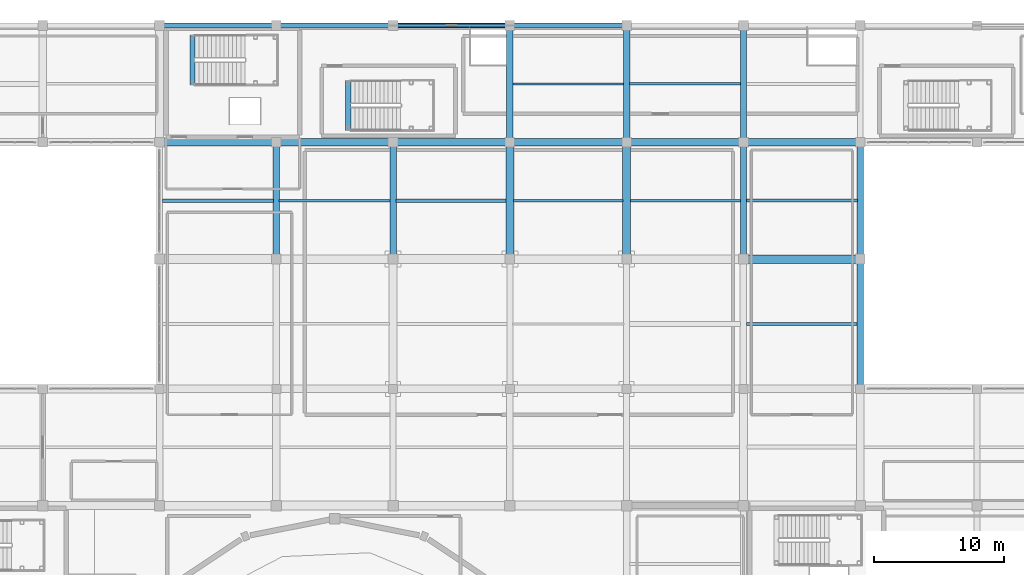
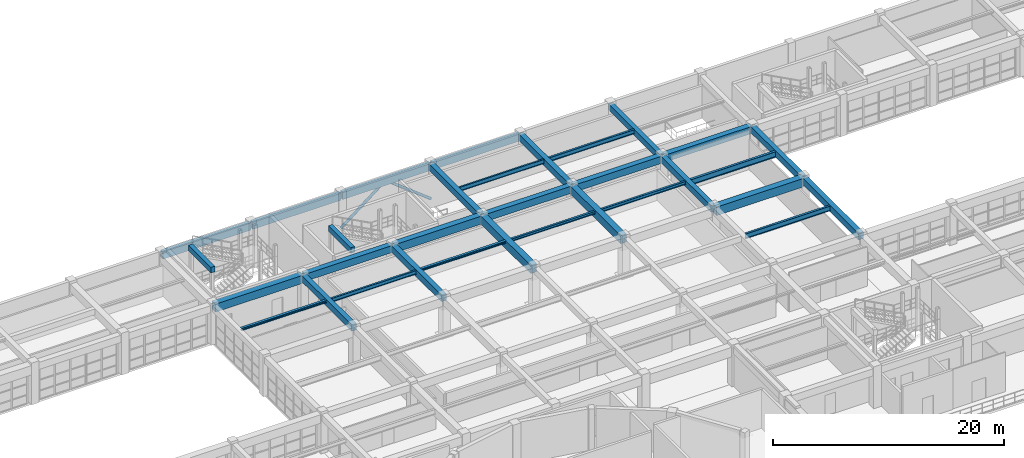
# One storey, part 74 of 133: 32 beams, 2 members.
"""IFC4 building model written with IfcOpenShell, lengths in metres."""

from ifc_helpers import new_model, si_unit, direction, frame, origin, origin_2d, place, context, subcontext, project, spatial, rectangle, hollow_circle, i_section, extrude, material, material_profile, profile_set, type_object, element, save


model = new_model("IFC4")

# Units and contexts
model_context = context("Model", 3, precision=1e-05, world=origin(), true_north=direction((0.0, 1.0)))
body_context = subcontext(model_context, "Body", "Model", "MODEL_VIEW")
ifc_project = project(units=[si_unit("LENGTHUNIT", "METRE"), si_unit("AREAUNIT", "SQUARE_METRE"), si_unit("VOLUMEUNIT", "CUBIC_METRE"), si_unit("PLANEANGLEUNIT", "RADIAN"), si_unit("MASSUNIT", "GRAM", prefix="KILO")], contexts=[model_context])

# Site, building, storey
site_placement = place(None, origin())
site = spatial("IfcSite", under=ifc_project, at=site_placement, CompositionType="ELEMENT")
building_placement = place(site_placement, origin())
building = spatial("IfcBuilding", under=site, at=building_placement, Name="Miravela Opera House", CompositionType="ELEMENT")
storey_placement = place(building_placement, frame((0.0, 0.0, 5.10009765625)))
storey = spatial("IfcBuildingStorey", under=building, at=storey_placement, Name="L01", CompositionType="ELEMENT", Elevation=5.10009765625)

# Beams
ifc_material_1 = material(Name="Concrete C35/45", Category="concrete")
ifc_material_profile_1 = material_profile(ifc_material_1, rectangle(XDim=0.39990234375, YDim=0.60009765625, at=origin_2d()), Name="RC-BM-400X600")
ifc_profile_set_1 = profile_set([ifc_material_profile_1])
beam_type_1 = type_object("IfcBeamType", Name="STR-BM-RC400X600", PredefinedType="JOIST", material=ifc_profile_set_1)
for number, where, z_axis, x_axis, name in (
    (1, (65.5400390625, 107.39990234375, 4.119873046875), (0.0, 1.0, 0.0), (-1.0, 0.0, 0.0), "Stair K5 Opening Header Trimmer Beam 02"),
    (2, (77.5400390625, 103.89990234375, 4.119873046875), (0.0, 1.0, 0.0), (-1.0, 0.0, 0.0), "Stair ST-07 Opening Header Trimmer Beam 02"),
):
    element("IfcBeam", number, at=place(storey_placement, frame(where, z_axis=z_axis, x_axis=x_axis)), inside=storey, type_object=beam_type_1, Name=name, PredefinedType="JOIST", context=body_context, shape_type="SweptSolid", body=[
        extrude(rectangle(XDim=0.39990234375, YDim=0.60009765625, at=origin_2d()), origin(), (0.0, 0.0, 1.0), 3.880126953125),
    ])
ifc_material_profile_2 = material_profile(ifc_material_1, rectangle(XDim=0.449951171875, YDim=0.64990234375, at=origin_2d()), Name="RC-BM-450X650")
ifc_profile_set_2 = profile_set([ifc_material_profile_2])
beam_type_2 = type_object("IfcBeamType", Name="STR-BM-RC450X650", PredefinedType="BEAM", material=ifc_profile_set_2)
beam_1_placement = place(storey_placement, frame((108.0, 103.080078125, 3.8349609375), z_axis=(0.0, 1.0, 0.0), x_axis=(-1.0, 0.0, 0.0)))
element("IfcBeam", 3, at=beam_1_placement, inside=storey, type_object=beam_type_2, Name="Floor Girder L01 13/L-M", PredefinedType="BEAM", context=body_context, shape_type="SweptSolid", body=[
    extrude(rectangle(XDim=0.449951171875, YDim=0.64990234375, at=origin_2d()), origin(), (0.0, 0.0, 1.0), 8.83984375),
])
ifc_material_profile_3 = material_profile(ifc_material_1, rectangle(XDim=0.47998046875, YDim=0.679931640625, at=origin_2d()), Name="RC-BM-480X680")
ifc_profile_set_3 = profile_set([ifc_material_profile_3])
beam_type_3 = type_object("IfcBeamType", Name="STR-BM-RC480X680", PredefinedType="BEAM", material=ifc_profile_set_3)
for number, where, z_axis, x_axis, name in (
    (4, (72.0, 94.080078125, 3.81982421875), (0.0, 1.0, 0.0), (-1.0, 0.0, 0.0), "Floor Girder L01 9/K-L"),
    (5, (108.0, 94.080078125, 3.81982421875), (0.0, 1.0, 0.0), (-1.0, 0.0, 0.0), "Floor Girder L01 13/K-L"),
    (6, (117.0, 94.080078125, 3.81982421875), (0.0, 1.0, 0.0), (-1.0, 0.0, 0.0), "Floor Girder L01 14/K-L"),
):
    element("IfcBeam", number, at=place(storey_placement, frame(where, z_axis=z_axis, x_axis=x_axis)), inside=storey, type_object=beam_type_3, Name=name, PredefinedType="BEAM", context=body_context, shape_type="SweptSolid", body=[
        extrude(rectangle(XDim=0.47998046875, YDim=0.679931640625, at=origin_2d()), origin(), (0.0, 0.0, 1.0), 8.83984375),
    ])
ifc_material_profile_4 = material_profile(ifc_material_1, rectangle(XDim=0.5, YDim=0.699951171875, at=origin_2d()), Name="RC-BM-500X700")
ifc_profile_set_4 = profile_set([ifc_material_profile_4])
beam_type_4 = type_object("IfcBeamType", Name="STR-BM-RC500X700", PredefinedType="BEAM", material=ifc_profile_set_4)
for number, where, z_axis, x_axis, name in (
    (7, (81.0, 94.080078125, 3.809814453125), (0.0, 1.0, 0.0), (-1.0, 0.0, 0.0), "Floor Girder L01 10/K-L"),
    (8, (90.0, 103.080078125, 3.809814453125), (0.0, 1.0, 0.0), (-1.0, 0.0, 0.0), "Floor Girder L01 11/L-M"),
    (9, (99.0, 103.080078125, 3.809814453125), (0.0, 1.0, 0.0), (-1.0, 0.0, 0.0), "Floor Girder L01 12/L-M"),
):
    element("IfcBeam", number, at=place(storey_placement, frame(where, z_axis=z_axis, x_axis=x_axis)), inside=storey, type_object=beam_type_4, Name=name, PredefinedType="BEAM", context=body_context, shape_type="SweptSolid", body=[
        extrude(rectangle(XDim=0.5, YDim=0.699951171875, at=origin_2d()), origin(), (0.0, 0.0, 1.0), 8.83984375),
    ])
beam_2_placement = place(storey_placement, frame((117.0, 84.080078125, 3.809814453125), z_axis=(0.0, 1.0, 0.0), x_axis=(-1.0, 0.0, 0.0)))
element("IfcBeam", 10, at=beam_2_placement, inside=storey, type_object=beam_type_4, Name="Floor Girder L01 14/J-K", PredefinedType="BEAM", context=body_context, shape_type="SweptSolid", body=[
    extrude(rectangle(XDim=0.5, YDim=0.699951171875, at=origin_2d()), origin(), (0.0, 0.0, 1.0), 9.83984375),
])
ifc_material_profile_5 = material_profile(ifc_material_1, rectangle(XDim=0.550048828125, YDim=0.75, at=origin_2d()), Name="RC-BM-550X750")
ifc_profile_set_5 = profile_set([ifc_material_profile_5])
beam_type_5 = type_object("IfcBeamType", Name="STR-BM-RC550X750", PredefinedType="BEAM", material=ifc_profile_set_5)
for number, where, z_axis, x_axis, name in (
    (11, (72.080078125, 103.0, 3.784912109375), (1.0, 0.0, 0.0), (0.0, 1.0, 0.0), "Floor Girder L01 9-10/L"),
    (12, (90.080078125, 103.0, 3.784912109375), (1.0, 0.0, 0.0), (0.0, 1.0, 0.0), "Floor Girder L01 11-12/L"),
    (13, (99.080078125, 103.0, 3.784912109375), (1.0, 0.0, 0.0), (0.0, 1.0, 0.0), "Floor Girder L01 12-13/L"),
    (14, (108.080078125, 103.0, 3.784912109375), (1.0, 0.0, 0.0), (0.0, 1.0, 0.0), "Floor Girder L01 13-14/L"),
):
    element("IfcBeam", number, at=place(storey_placement, frame(where, z_axis=z_axis, x_axis=x_axis)), inside=storey, type_object=beam_type_5, Name=name, PredefinedType="BEAM", context=body_context, shape_type="SweptSolid", body=[
        extrude(rectangle(XDim=0.550048828125, YDim=0.75, at=origin_2d()), origin(), (0.0, 0.0, 1.0), 8.83984375),
    ])
ifc_material_2 = material(Name="Concrete C40/50", Category="concrete")
ifc_material_profile_6 = material_profile(ifc_material_2, rectangle(XDim=0.60009765625, YDim=0.85009765625, at=origin_2d()), Name="RC-BM-600X850")
ifc_profile_set_6 = profile_set([ifc_material_profile_6])
beam_type_6 = type_object("IfcBeamType", Name="STR-BM-RC600X850", PredefinedType="BEAM", material=ifc_profile_set_6)
for number, where, z_axis, x_axis, name in (
    (15, (63.080078125, 103.0, 3.73486328125), (1.0, 0.0, 0.0), (0.0, 1.0, 0.0), "Floor Girder L01 8-9/L"),
    (16, (81.080078125, 103.0, 3.73486328125), (1.0, 0.0, 0.0), (0.0, 1.0, 0.0), "Floor Girder L01 10-11/L"),
    (17, (90.0, 94.080078125, 3.73486328125), (0.0, 1.0, 0.0), (-1.0, 0.0, 0.0), "Floor Girder L01 11/K-L"),
    (18, (99.0, 94.080078125, 3.73486328125), (0.0, 1.0, 0.0), (-1.0, 0.0, 0.0), "Floor Girder L01 12/K-L"),
):
    element("IfcBeam", number, at=place(storey_placement, frame(where, z_axis=z_axis, x_axis=x_axis)), inside=storey, type_object=beam_type_6, Name=name, PredefinedType="BEAM", context=body_context, shape_type="SweptSolid", body=[
        extrude(rectangle(XDim=0.60009765625, YDim=0.85009765625, at=origin_2d()), origin(), (0.0, 0.0, 1.0), 8.83984375),
    ])
ifc_material_profile_7 = material_profile(ifc_material_2, rectangle(XDim=0.64990234375, YDim=0.89990234375, at=origin_2d()), Name="RC-BM-650X900")
ifc_profile_set_7 = profile_set([ifc_material_profile_7])
beam_type_7 = type_object("IfcBeamType", Name="STR-BM-RC650X900", PredefinedType="BEAM", material=ifc_profile_set_7)
beam_3_placement = place(storey_placement, frame((108.080078125, 94.0, 3.7099609375), z_axis=(1.0, 0.0, 0.0), x_axis=(0.0, 1.0, 0.0)))
element("IfcBeam", 19, at=beam_3_placement, inside=storey, type_object=beam_type_7, Name="Floor Girder L01 13-14/K", PredefinedType="BEAM", context=body_context, shape_type="SweptSolid", body=[
    extrude(rectangle(XDim=0.64990234375, YDim=0.89990234375, at=origin_2d()), origin(), (0.0, 0.0, 1.0), 8.83984375),
])
ifc_material_3 = material(Name="Structural steel ASTM A992 Gr. 50", Category="steel")
ifc_material_profile_8 = material_profile(ifc_material_3, i_section(OverallWidth=0.25390625, OverallDepth=0.2529296875, WebThickness=0.008544921875, FlangeThickness=0.01416015625, FilletRadius=0.011962890625, at=origin_2d()), Name="W250X73")
ifc_profile_set_8 = profile_set([ifc_material_profile_8])
beam_type_8 = type_object("IfcBeamType", Name="STR-BM-W250X73", PredefinedType="JOIST", material=ifc_profile_set_8)
beam_4_placement = place(storey_placement, frame((63.2099609375, 98.5, 4.033447265625), z_axis=(1.0, 0.0, 0.0), x_axis=(0.0, 1.0, 0.0)))
element("IfcBeam", 20, at=beam_4_placement, inside=storey, type_object=beam_type_8, Name="Secondary Floor Joist L01 8-9/K-L", PredefinedType="JOIST", context=body_context, shape_type="SweptSolid", body=[
    extrude(i_section(OverallWidth=0.25390625, OverallDepth=0.2529296875, WebThickness=0.008544921875, FlangeThickness=0.01416015625, FilletRadius=0.011962890625, at=origin_2d()), origin(), (0.0, 0.0, 1.0), 8.56494140625),
])
beam_5_placement = place(storey_placement, frame((81.235107421875, 98.5, 4.033447265625), z_axis=(1.0, 0.0, 0.0), x_axis=(0.0, 1.0, 0.0)))
element("IfcBeam", 21, at=beam_5_placement, inside=storey, type_object=beam_type_8, Name="Secondary Floor Joist L01 10-11/K-L", PredefinedType="JOIST", context=body_context, shape_type="SweptSolid", body=[
    extrude(i_section(OverallWidth=0.25390625, OverallDepth=0.2529296875, WebThickness=0.008544921875, FlangeThickness=0.01416015625, FilletRadius=0.011962890625, at=origin_2d()), origin(), (0.0, 0.0, 1.0), 8.47998046875),
])
ifc_material_profile_9 = material_profile(ifc_material_3, i_section(OverallWidth=0.202880859375, OverallDepth=0.302978515625, WebThickness=0.007568359375, FlangeThickness=0.01318359375, FilletRadius=0.012939453125, at=origin_2d()), Name="W310X60")
ifc_profile_set_9 = profile_set([ifc_material_profile_9])
beam_type_9 = type_object("IfcBeamType", Name="STR-BM-W310X60", PredefinedType="JOIST", material=ifc_profile_set_9)
beam_6_placement = place(storey_placement, frame((90.284912109375, 98.5, 4.00830078125), z_axis=(1.0, 0.0, 0.0), x_axis=(0.0, 1.0, 0.0)))
element("IfcBeam", 22, at=beam_6_placement, inside=storey, type_object=beam_type_9, Name="Secondary Floor Joist L01 11-12/K-L", PredefinedType="JOIST", context=body_context, shape_type="SweptSolid", body=[
    extrude(i_section(OverallWidth=0.202880859375, OverallDepth=0.302978515625, WebThickness=0.007568359375, FlangeThickness=0.01318359375, FilletRadius=0.012939453125, at=origin_2d()), origin(), (0.0, 0.0, 1.0), 8.43017578125),
])
ifc_material_profile_10 = material_profile(ifc_material_3, i_section(OverallWidth=0.2041015625, OverallDepth=0.35009765625, WebThickness=0.008544921875, FlangeThickness=0.01513671875, FilletRadius=0.013916015625, at=origin_2d()), Name="W360X72")
ifc_profile_set_10 = profile_set([ifc_material_profile_10])
beam_type_10 = type_object("IfcBeamType", Name="STR-BM-W360X72", PredefinedType="JOIST", material=ifc_profile_set_10)
beam_7_placement = place(storey_placement, frame((99.284912109375, 98.5, 3.98486328125), z_axis=(1.0, 0.0, 0.0), x_axis=(0.0, 1.0, 0.0)))
element("IfcBeam", 23, at=beam_7_placement, inside=storey, type_object=beam_type_10, Name="Secondary Floor Joist L01 12-13/K-L", PredefinedType="JOIST", context=body_context, shape_type="SweptSolid", body=[
    extrude(i_section(OverallWidth=0.2041015625, OverallDepth=0.35009765625, WebThickness=0.008544921875, FlangeThickness=0.01513671875, FilletRadius=0.013916015625, at=origin_2d()), origin(), (0.0, 0.0, 1.0), 8.489990234375),
])
ifc_material_profile_11 = material_profile(ifc_material_3, i_section(OverallWidth=0.180908203125, OverallDepth=0.4169921875, WebThickness=0.010986328125, FlangeThickness=0.018310546875, FilletRadius=0.013916015625, at=origin_2d()), Name="W410X85")
ifc_profile_set_11 = profile_set([ifc_material_profile_11])
beam_type_11 = type_object("IfcBeamType", Name="STR-BM-W410X85", PredefinedType="JOIST", material=ifc_profile_set_11)
beam_8_placement = place(storey_placement, frame((72.22509765625, 98.5, 3.951416015625), z_axis=(1.0, 0.0, 0.0), x_axis=(0.0, 1.0, 0.0)))
element("IfcBeam", 24, at=beam_8_placement, inside=storey, type_object=beam_type_11, Name="Secondary Floor Joist L01 9-10/K-L", PredefinedType="JOIST", context=body_context, shape_type="SweptSolid", body=[
    extrude(i_section(OverallWidth=0.180908203125, OverallDepth=0.4169921875, WebThickness=0.010986328125, FlangeThickness=0.018310546875, FilletRadius=0.013916015625, at=origin_2d()), origin(), (0.0, 0.0, 1.0), 8.539794921875),
])
ifc_material_profile_12 = material_profile(ifc_material_3, i_section(OverallWidth=0.154052734375, OverallDepth=0.458984375, WebThickness=0.009033203125, FlangeThickness=0.015380859375, FilletRadius=0.013916015625, at=origin_2d()), Name="W460X68")
ifc_profile_set_12 = profile_set([ifc_material_profile_12])
beam_type_12 = type_object("IfcBeamType", Name="STR-BM-W460X68", PredefinedType="JOIST", material=ifc_profile_set_12)
beam_9_placement = place(storey_placement, frame((90.235107421875, 107.5, 3.930419921875), z_axis=(1.0, 0.0, 0.0), x_axis=(0.0, 1.0, 0.0)))
element("IfcBeam", 25, at=beam_9_placement, inside=storey, type_object=beam_type_12, Name="Secondary Floor Joist L01 11-12/L-M", PredefinedType="JOIST", context=body_context, shape_type="SweptSolid", body=[
    extrude(i_section(OverallWidth=0.154052734375, OverallDepth=0.458984375, WebThickness=0.009033203125, FlangeThickness=0.015380859375, FilletRadius=0.013916015625, at=origin_2d()), origin(), (0.0, 0.0, 1.0), 8.52978515625),
])
ifc_material_profile_13 = material_profile(ifc_material_3, i_section(OverallWidth=0.19091796875, OverallDepth=0.4599609375, WebThickness=0.010009765625, FlangeThickness=0.01611328125, FilletRadius=0.014892578125, at=origin_2d()), Name="W460X82")
ifc_profile_set_13 = profile_set([ifc_material_profile_13])
beam_type_13 = type_object("IfcBeamType", Name="STR-BM-W460X82", PredefinedType="JOIST", material=ifc_profile_set_13)
beam_10_placement = place(storey_placement, frame((99.235107421875, 107.5, 3.929931640625), z_axis=(1.0, 0.0, 0.0), x_axis=(0.0, 1.0, 0.0)))
element("IfcBeam", 26, at=beam_10_placement, inside=storey, type_object=beam_type_13, Name="Secondary Floor Joist L01 12-13/L-M", PredefinedType="JOIST", context=body_context, shape_type="SweptSolid", body=[
    extrude(i_section(OverallWidth=0.19091796875, OverallDepth=0.4599609375, WebThickness=0.010009765625, FlangeThickness=0.01611328125, FilletRadius=0.014892578125, at=origin_2d()), origin(), (0.0, 0.0, 1.0), 8.554931640625),
])
ifc_material_profile_14 = material_profile(ifc_material_3, i_section(OverallWidth=0.208984375, OverallDepth=0.532958984375, WebThickness=0.01025390625, FlangeThickness=0.015625, FilletRadius=0.014892578125, at=origin_2d()), Name="W530X92")
ifc_profile_set_14 = profile_set([ifc_material_profile_14])
beam_type_14 = type_object("IfcBeamType", Name="STR-BM-W530X92", PredefinedType="BEAM", material=ifc_profile_set_14)
beam_11_placement = place(storey_placement, frame((108.235107421875, 89.0, 3.893310546875), z_axis=(1.0, 0.0, 0.0), x_axis=(0.0, 1.0, 0.0)))
element("IfcBeam", 27, at=beam_11_placement, inside=storey, type_object=beam_type_14, Name="Secondary Floor Joist L01 13-14/J-K", PredefinedType="BEAM", context=body_context, shape_type="SweptSolid", body=[
    extrude(i_section(OverallWidth=0.208984375, OverallDepth=0.532958984375, WebThickness=0.01025390625, FlangeThickness=0.015625, FilletRadius=0.014892578125, at=origin_2d()), origin(), (0.0, 0.0, 1.0), 8.52978515625),
])
ifc_material_profile_15 = material_profile(ifc_material_3, i_section(OverallWidth=0.22802734375, OverallDepth=0.60791015625, WebThickness=0.01123046875, FlangeThickness=0.017333984375, FilletRadius=0.01611328125, at=origin_2d()), Name="W610X113")
ifc_profile_set_15 = profile_set([ifc_material_profile_15])
beam_type_15 = type_object("IfcBeamType", Name="STR-BM-W610X113", PredefinedType="BEAM", material=ifc_profile_set_15)
beam_12_placement = place(storey_placement, frame((108.22509765625, 98.5, 3.85595703125), z_axis=(1.0, 0.0, 0.0), x_axis=(0.0, 1.0, 0.0)))
element("IfcBeam", 28, at=beam_12_placement, inside=storey, type_object=beam_type_15, Name="Secondary Floor Joist L01 13-14/K-L", PredefinedType="BEAM", context=body_context, shape_type="SweptSolid", body=[
    extrude(i_section(OverallWidth=0.22802734375, OverallDepth=0.60791015625, WebThickness=0.01123046875, FlangeThickness=0.017333984375, FilletRadius=0.01611328125, at=origin_2d()), origin(), (0.0, 0.0, 1.0), 8.5498046875),
])

# Members
ifc_material_4 = material(Name="Hollow structural steel ASTM A500 Gr. C", Category="steel")
ifc_material_profile_16 = material_profile(ifc_material_4, hollow_circle(Radius=0.136474609375, WallThickness=0.010009765625, at=origin_2d()), Name="CHS273X10")
ifc_profile_set_16 = profile_set([ifc_material_profile_16])
member_type = type_object("IfcMemberType", Name="STR-MEM-FRAME-BR2", PredefinedType="BRACE", material=ifc_profile_set_16)
for number, where, z_axis, x_axis, name in (
    (29, (81.0, 112.0, 0.2998046875), (0.788501476184, 0.0, 0.615032862581), (0.0, 1.0, 0.0), "Concentric Braced Frame BF-N2 L01 Left Brace"),
    (30, (90.0, 112.0, 0.2998046875), (-0.788501476184, 0.0, 0.615032862581), (0.0, -1.0, 0.0), "Concentric Braced Frame BF-N2 L01 Right Brace"),
):
    element("IfcMember", number, at=place(storey_placement, frame(where, z_axis=z_axis, x_axis=x_axis)), inside=storey, type_object=member_type, Name=name, PredefinedType="BRACE", context=body_context, shape_type="SweptSolid", body=[
        extrude(hollow_circle(Radius=0.136474609375, WallThickness=0.010009765625, at=origin_2d()), origin(), (0.0, 0.0, 1.0), 5.70703125),
    ])

# Beams
ifc_material_profile_17 = material_profile(ifc_material_1, rectangle(XDim=0.39990234375, YDim=0.75, at=origin_2d()), Name="RC-SPN-400X750")
ifc_profile_set_17 = profile_set([ifc_material_profile_17])
beam_type_16 = type_object("IfcBeamType", Name="STR-SPN-RC400X750", PredefinedType="SPANDREL", material=ifc_profile_set_17)
for number, where, z_axis, x_axis, name in (
    (31, (63.080078125, 112.0, 3.784912109375), (1.0, 0.0, 0.0), (0.0, 1.0, 0.0), "Floor Girder L01 8-9/M"),
    (32, (72.080078125, 112.0, 3.784912109375), (1.0, 0.0, 0.0), (0.0, 1.0, 0.0), "Floor Girder L01 9-10/M"),
    (33, (81.080078125, 112.0, 3.784912109375), (1.0, 0.0, 0.0), (0.0, 1.0, 0.0), "Floor Girder L01 10-11/M"),
    (34, (90.080078125, 112.0, 3.784912109375), (1.0, 0.0, 0.0), (0.0, 1.0, 0.0), "Floor Girder L01 11-12/M"),
):
    element("IfcBeam", number, at=place(storey_placement, frame(where, z_axis=z_axis, x_axis=x_axis)), inside=storey, type_object=beam_type_16, Name=name, PredefinedType="SPANDREL", context=body_context, shape_type="SweptSolid", body=[
        extrude(rectangle(XDim=0.39990234375, YDim=0.75, at=origin_2d()), origin(), (0.0, 0.0, 1.0), 8.83984375),
    ])

save(model, "model.ifc")
